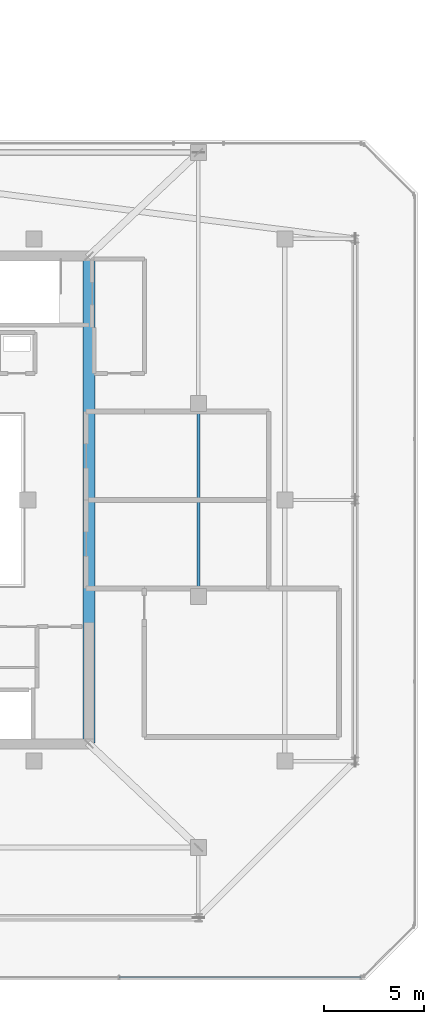
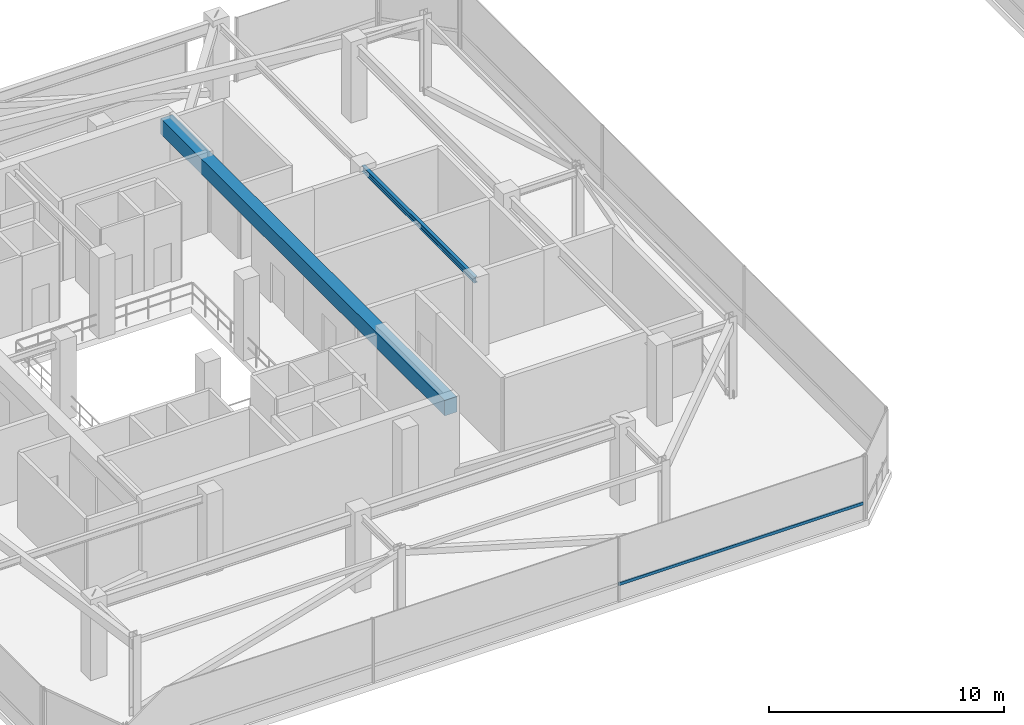
# One storey, part 13 of 47: 2 beams, 1 member, 1 element without a shape of its own.
"""IFC4 building model written with IfcOpenShell, lengths in metres."""

from ifc_helpers import new_model, si_unit, direction, frame, origin, origin_2d, place, context, subcontext, project, spatial, rectangle, hollow_rectangle, i_section, extrude, material, material_profile, profile_set, type_object, element, aggregate, save


model = new_model("IFC4")

# Units and contexts
model_context = context("Model", 3, precision=1e-05, world=origin(), true_north=direction((0.0, 1.0)))
body_context = subcontext(model_context, "Body", "Model", "MODEL_VIEW")
ifc_project = project(units=[si_unit("LENGTHUNIT", "METRE"), si_unit("AREAUNIT", "SQUARE_METRE"), si_unit("VOLUMEUNIT", "CUBIC_METRE"), si_unit("PLANEANGLEUNIT", "RADIAN"), si_unit("MASSUNIT", "GRAM", prefix="KILO")], contexts=[model_context])

# Site, building, storey
site_placement = place(None, origin())
site = spatial("IfcSite", under=ifc_project, at=site_placement, CompositionType="ELEMENT")
building_placement = place(site_placement, origin())
building = spatial("IfcBuilding", under=site, at=building_placement, Name="Thornwick Lancets Civic Towers", CompositionType="ELEMENT")
storey_placement = place(building_placement, frame((0.0, 0.0, 279.89990234375)))
storey = spatial("IfcBuildingStorey", under=building, at=storey_placement, Name="C01", CompositionType="ELEMENT", Elevation=279.89990234375)

# Beams
ifc_material_1 = material(Name="Concrete C60/75", Category="concrete")
ifc_material_profile_1 = material_profile(ifc_material_1, rectangle(XDim=0.60009765625, YDim=0.800048828125, at=origin_2d()), Name="RC 600x800")
ifc_profile_set_1 = profile_set([ifc_material_profile_1], Name="Concrete C60/75")
beam_type_1 = type_object("IfcBeamType", Name="BM_COUP_RC800", PredefinedType="BEAM", material=ifc_profile_set_1)
beam_1_placement = place(storey_placement, frame((33.050048828125, 14.89990234375, 3.5400390625), z_axis=(0.0, 1.0, 0.0), x_axis=(-1.0, 0.0, 0.0)))
element("IfcBeam", 1, at=beam_1_placement, inside=storey, type_object=beam_type_1, Name="CB-C01-A1", PredefinedType="BEAM", context=body_context, shape_type="SweptSolid", body=[
    extrude(rectangle(XDim=0.60009765625, YDim=0.800048828125, at=origin_2d()), origin(), (0.0, 0.0, 1.0), 24.2001953125),
])
ifc_material_2 = material(Name="Steel S355JR", Category="steel")
ifc_material_profile_2 = material_profile(ifc_material_2, i_section(OverallWidth=0.1669921875, OverallDepth=0.310302734375, WebThickness=0.0078125, FlangeThickness=0.013671875, FilletRadius=0.0087890625, at=origin_2d()), Name="UKB 305x165x54")
ifc_profile_set_2 = profile_set([ifc_material_profile_2], Name="Steel S355JR")
beam_type_2 = type_object("IfcBeamType", Name="BM_LINTEL_305_54", PredefinedType="LINTEL", material=ifc_profile_set_2)
beam_2_placement = place(storey_placement, frame((38.5, 22.199951171875, 3.784912109375), z_axis=(0.0, 1.0, 0.0), x_axis=(-1.0, 0.0, 0.0)))
element("IfcBeam", 2, at=beam_2_placement, inside=storey, type_object=beam_type_2, Name="BM-INSP-C01-A-1-3", PredefinedType="LINTEL", context=body_context, shape_type="SweptSolid", body=[
    extrude(i_section(OverallWidth=0.1669921875, OverallDepth=0.310302734375, WebThickness=0.0078125, FlangeThickness=0.013671875, FilletRadius=0.0087890625, at=origin_2d()), origin(), (0.0, 0.0, 1.0), 9.60009765625),
])

# Curtain wall, member
ifc_material_3 = material(Name="Crown ring acoustic-louvre and glazing screen wall", Category="glass")
curtain_wall_type = type_object("IfcCurtainWallType", Name="CW_SYS_07", PredefinedType="NOTDEFINED", material=ifc_material_3)
curtain_wall_placement = place(storey_placement, origin())
curtain_wall = element("IfcCurtainWall", 3, at=curtain_wall_placement, inside=storey, type_object=curtain_wall_type, Name="C01 Curtain Wall CW-C01-A-E0", PredefinedType="NOTDEFINED")
ifc_material_4 = material(Name="Thermally broken bronze aluminium S355", Category="steel")
ifc_material_profile_3 = material_profile(ifc_material_4, hollow_rectangle(XDim=0.074951171875, YDim=0.14990234375, WallThickness=0.0048828125, at=origin_2d()), Name="RHS 150x75x5")
ifc_profile_set_3 = profile_set([ifc_material_profile_3], Name="Thermally broken bronze aluminium S355")
member_type = type_object("IfcMemberType", Name="CW_TRN_150", PredefinedType="USERDEFINED", material=ifc_profile_set_3)
member_placement = place(storey_placement, frame((34.5537109375, 3.2353515625, 0.85009765625), z_axis=(1.0, 0.0, 0.0), x_axis=(0.0, 1.0, 0.0)))
member = element("IfcMember", 4, at=member_placement, type_object=member_type, Name="CW-C01-A-E0 Transom 2", ObjectType="TRANSOM", PredefinedType="USERDEFINED", context=body_context, shape_type="SweptSolid", body=[
    extrude(hollow_rectangle(XDim=0.074951171875, YDim=0.14990234375, WallThickness=0.0048828125, at=origin_2d()), origin(), (0.0, 0.0, 1.0), 12.027587890625),
])
aggregate(curtain_wall, [member])

save(model, "model.ifc")
